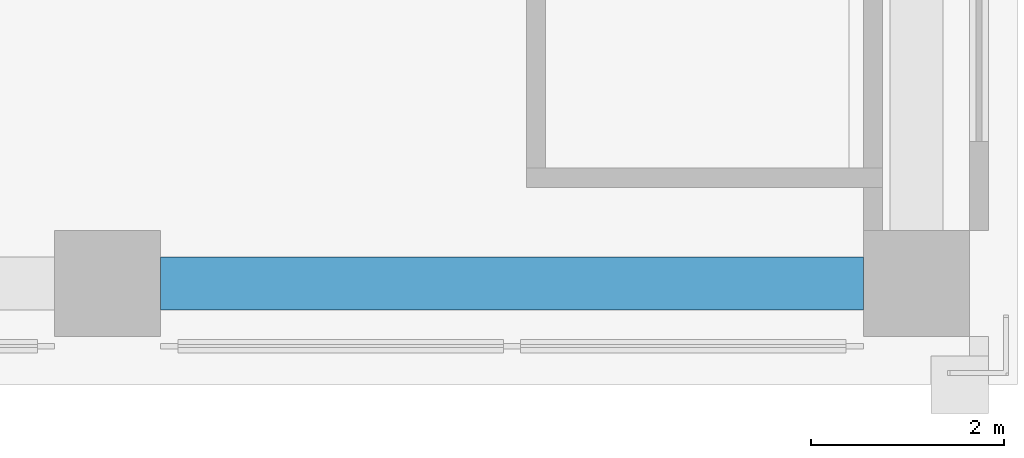
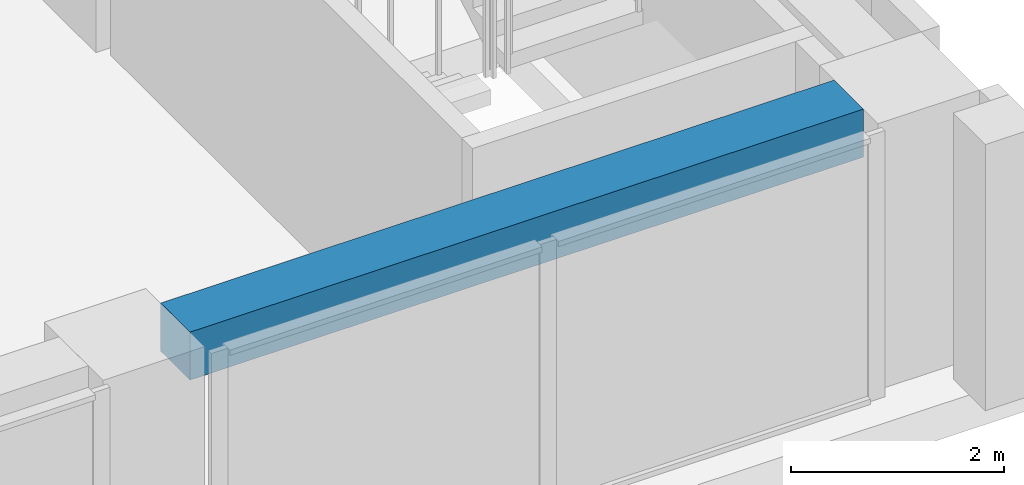
# One storey, part 3 of 16: 1 beam.
"""IFC4 building model written with IfcOpenShell, lengths in metres."""

import ifcopenshell
import ifcopenshell.guid

model = None  # the IFC model being written
_history = None  # IfcOwnerHistory: only IFC2X3 demands one
_inside = {}  # id of a spatial element -> (the spatial element, [elements in it])
_under = {}  # id of a project, library or spatial element -> (it, [spatial elements below it])
_declared = {}  # id of a project -> (the project, [libraries it declares])
_typed = {}  # id of a type object -> (the type object, [elements of that type])
_made_of = {}  # id of a material, layer set ... -> (it, [elements and type objects made of it])


def new_model(schema):
    """Start an empty IFC model of exactly this schema.

    Asked for "IFC4X3", IfcOpenShell would pick the latest addendum, in which some entities
    have other attributes; the version numbers below select the first issue.
    IFC2X3 requires an IfcOwnerHistory on every rooted entity: one is made here for all.
    """
    global model, _history
    if schema == "IFC4X3":
        model = ifcopenshell.file(schema_version=(4, 3, 0, 0))
    else:
        model = ifcopenshell.file(schema=schema)
    _inside.clear()
    _under.clear()
    _declared.clear()
    _typed.clear()
    _made_of.clear()
    _history = None
    if model.schema == "IFC2X3":
        org = make("IfcOrganization", Name="unknown")
        user = make(
            "IfcPersonAndOrganization",
            ThePerson=make("IfcPerson", FamilyName="unknown"),
            TheOrganization=org,
        )
        app = make(
            "IfcApplication",
            ApplicationDeveloper=org,
            Version="unknown",
            ApplicationFullName="unknown",
            ApplicationIdentifier="unknown",
        )
        _history = make(
            "IfcOwnerHistory",
            OwningUser=user,
            OwningApplication=app,
            ChangeAction="ADDED",
            CreationDate=0,
        )
    return model


def make(cls, **values):
    """One entity of the class cls with the attributes given. An attribute that is None is left unset."""
    return model.create_entity(
        cls, **{name: value for name, value in values.items() if value is not None}
    )


def rooted(cls, **values):
    """An entity with a GlobalId (a new one), such as an element, a storey or a relation."""
    return make(cls, GlobalId=ifcopenshell.guid.new(), OwnerHistory=_history, **values)


def si_unit(unit_type, name, prefix=None):
    """IfcSIUnit, for example si_unit("LENGTHUNIT", "METRE", prefix="MILLI")."""
    return make("IfcSIUnit", UnitType=unit_type, Prefix=prefix, Name=name)


def assignment(units):
    """IfcUnitAssignment: the units of a project."""
    return None if units is None else make("IfcUnitAssignment", Units=units)


def point(xyz):
    """IfcCartesianPoint."""
    return None if xyz is None else make("IfcCartesianPoint", Coordinates=xyz)


def direction(xyz):
    """IfcDirection."""
    return None if xyz is None else make("IfcDirection", DirectionRatios=xyz)


def frame(location, z_axis=None, x_axis=None):
    """IfcAxis2Placement3D, a coordinate frame: its origin and axes. An axis left out is left unset."""
    return make(
        "IfcAxis2Placement3D",
        Location=point(location),
        Axis=direction(z_axis),
        RefDirection=direction(x_axis),
    )


def frame_2d(location, x_axis=None):
    """IfcAxis2Placement2D, a coordinate frame in the plane: its origin and x axis."""
    return make(
        "IfcAxis2Placement2D", Location=point(location), RefDirection=direction(x_axis)
    )


def origin():
    """The frame at (0, 0, 0) with its axes left unset."""
    return frame((0.0, 0.0, 0.0))


def origin_2d():
    """The frame at (0, 0) in the plane with its x axis left unset."""
    return frame_2d((0.0, 0.0))


def place(relative_to, where):
    """IfcLocalPlacement: puts the frame where relative to a parent placement (None: the world)."""
    return make(
        "IfcLocalPlacement", PlacementRelTo=relative_to, RelativePlacement=where
    )


def context(
    kind, dimensions, precision=None, world=None, true_north=None, identifier=None
):
    """IfcGeometricRepresentationContext, for example the 3D "Model" context."""
    return make(
        "IfcGeometricRepresentationContext",
        ContextIdentifier=identifier,
        ContextType=kind,
        CoordinateSpaceDimension=dimensions,
        Precision=precision,
        WorldCoordinateSystem=world,
        TrueNorth=true_north,
    )


def subcontext(parent, identifier, kind, view, scale=None):
    """IfcGeometricRepresentationSubContext, for example "Body" below "Model"."""
    return make(
        "IfcGeometricRepresentationSubContext",
        ContextIdentifier=identifier,
        ContextType=kind,
        ParentContext=parent,
        TargetScale=scale,
        TargetView=view,
    )


def project(units=None, contexts=None):
    """IfcProject with its units and contexts."""
    return rooted(
        "IfcProject",
        Name="project",
        RepresentationContexts=contexts,
        UnitsInContext=assignment(units),
    )


def spatial(cls, under=None, at=None, **own):
    """A site, building, storey or space (cls), placed at a placement, below another one or the project."""
    s = rooted(cls, ObjectPlacement=at, **own)
    if under is not None:
        _under.setdefault(under.id(), (under, []))[1].append(s)
    return s


def profile(cls, at=None, kind="AREA", **sizes):
    """A parametric profile (cls). Its sizes go by their IFC names, for example OverallWidth=200.0."""
    return make(cls, ProfileType=kind, Position=at, **sizes)


def rectangle(**sizes):
    """IfcRectangleProfileDef."""
    return profile("IfcRectangleProfileDef", **sizes)


def extrude(swept, where, along, depth):
    """IfcExtrudedAreaSolid: the profile swept, set in the frame where, extruded along a direction by depth."""
    return make(
        "IfcExtrudedAreaSolid",
        SweptArea=swept,
        Position=where,
        ExtrudedDirection=direction(along),
        Depth=depth,
    )


def shape(context_of_items, identifier, shape_type, items):
    """IfcShapeRepresentation: the items that make up one representation, for example the "Body"."""
    return make(
        "IfcShapeRepresentation",
        ContextOfItems=context_of_items,
        RepresentationIdentifier=identifier,
        RepresentationType=shape_type,
        Items=items,
    )


def material(Name=None, Category=None):
    """IfcMaterial."""
    return make("IfcMaterial", Name=Name, Category=Category)


def material_profile(
    of_material, cross_section, Name=None, Category=None, Priority=None
):
    """IfcMaterialProfile: a cross section and its material."""
    return make(
        "IfcMaterialProfile",
        Name=Name,
        Material=of_material,
        Profile=cross_section,
        Priority=Priority,
        Category=Category,
    )


def profile_set(profiles, Name=None, composite=None):
    """IfcMaterialProfileSet."""
    return make(
        "IfcMaterialProfileSet",
        Name=Name,
        MaterialProfiles=profiles,
        CompositeProfile=composite,
    )


def made_of(thing, what):
    """Note that an element or type object is made of a material, layer set ...; save() writes the relation."""
    if what is not None:
        _made_of.setdefault(what.id(), (what, []))[1].append(thing)
    return thing


def type_object(cls, material=None, **own):
    """A type object (cls), such as IfcWallType, which elements share."""
    return made_of(rooted(cls, **own), material)


def element(
    cls,
    number,
    at=None,
    inside=None,
    cuts=None,
    type_object=None,
    material=None,
    context=None,
    identifier="Body",
    shape_type=None,
    held_by="IfcProductDefinitionShape",
    body=None,
    shapes=None,
    **own,
):
    """One element of the class cls, such as IfcWall. Its Tag is "e" and its number.

    at: its placement. inside: the storey or other place that contains it. cuts: it is an
    opening in that element (IfcRelVoidsElement). A single representation is given by context,
    identifier, shape_type and body (its items); several are given by shapes. held_by: the class
    of the entity that holds the representations. save() writes the other relations.
    """
    e = rooted(cls, Tag="e%d" % number, ObjectPlacement=at, **own)
    if body is not None:
        shapes = [shape(context, identifier, shape_type, body)]
    if shapes is not None:
        e.Representation = make(held_by, Representations=shapes)
    if inside is not None:
        _inside.setdefault(inside.id(), (inside, []))[1].append(e)
    if cuts is not None:
        rooted(
            "IfcRelVoidsElement", RelatingBuildingElement=cuts, RelatedOpeningElement=e
        )
    if type_object is not None:
        _typed.setdefault(type_object.id(), (type_object, []))[1].append(e)
    return made_of(e, material)


def aggregate(whole, parts):
    """IfcRelAggregates: a whole, such as a stair, and the parts it consists of."""
    return rooted("IfcRelAggregates", RelatingObject=whole, RelatedObjects=parts)


def save(model, path):
    """Write the relations noted so far, then the file.

    IfcRelAggregates (storeys below a building ...), IfcRelContainedInSpatialStructure (elements
    in a storey), IfcRelDefinesByType, IfcRelAssociatesMaterial and IfcRelDeclares: one each for
    every whole, place, type object, material and project.
    """
    for whole, parts in _under.values():
        aggregate(whole, parts)
    for where, things in _inside.values():
        rooted(
            "IfcRelContainedInSpatialStructure",
            RelatedElements=things,
            RelatingStructure=where,
        )
    for kind, things in _typed.values():
        rooted("IfcRelDefinesByType", RelatedObjects=things, RelatingType=kind)
    for what, things in _made_of.values():
        rooted("IfcRelAssociatesMaterial", RelatedObjects=things, RelatingMaterial=what)
    for by, libraries in _declared.values():
        rooted("IfcRelDeclares", RelatingContext=by, RelatedDefinitions=libraries)
    model.write(path)


model = new_model("IFC4")

# Units and contexts
model_context = context("Model", 3, precision=1e-05, world=origin(), true_north=direction((0.0, 1.0)))
body_context = subcontext(model_context, "Body", "Model", "MODEL_VIEW")
ifc_project = project(units=[si_unit("LENGTHUNIT", "METRE"), si_unit("AREAUNIT", "SQUARE_METRE"), si_unit("VOLUMEUNIT", "CUBIC_METRE"), si_unit("PLANEANGLEUNIT", "RADIAN"), si_unit("MASSUNIT", "GRAM", prefix="KILO")], contexts=[model_context])

# Site, building, storey
site_placement = place(None, origin())
site = spatial("IfcSite", under=ifc_project, at=site_placement, CompositionType="ELEMENT")
building_placement = place(site_placement, origin())
building = spatial("IfcBuilding", under=site, at=building_placement, Name="Vermilion Ogive Tower", CompositionType="ELEMENT")
storey_placement = place(building_placement, frame((0.0, 0.0, 136.550048828125)))
storey = spatial("IfcBuildingStorey", under=building, at=storey_placement, Name="L34", CompositionType="ELEMENT", Elevation=136.550048828125)

# Beam
ifc_material = material(Name="Concrete B45", Category="concrete")
ifc_material_profile = material_profile(ifc_material, rectangle(XDim=0.550048828125, YDim=0.550048828125, at=origin_2d()), Name="550 x 550")
ifc_profile_set = profile_set([ifc_material_profile], Name="Concrete B45")
beam_type = type_object("IfcBeamType", Name="Edge beam 550 x 550 B45", PredefinedType="BEAM", material=ifc_profile_set)
beam_placement = place(storey_placement, frame((4.75, -21.0, 2.77490234375), z_axis=(1.0, 0.0, 0.0), x_axis=(0.0, 1.0, 0.0)))
element("IfcBeam", 1, at=beam_placement, inside=storey, type_object=beam_type, Name="L34-EB-3", PredefinedType="BEAM", context=body_context, shape_type="SweptSolid", body=[
    extrude(rectangle(XDim=0.550048828125, YDim=0.550048828125, at=origin_2d()), origin(), (0.0, 0.0, 1.0), 7.300048828125),
])

save(model, "model.ifc")
